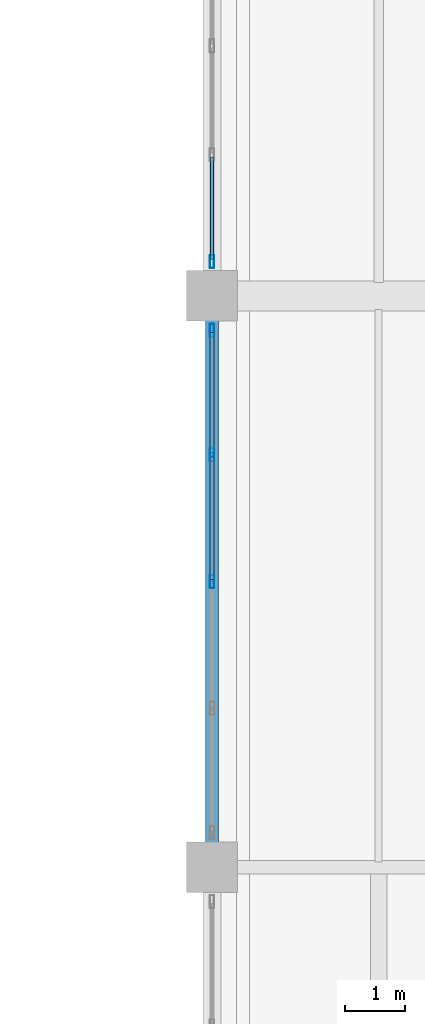
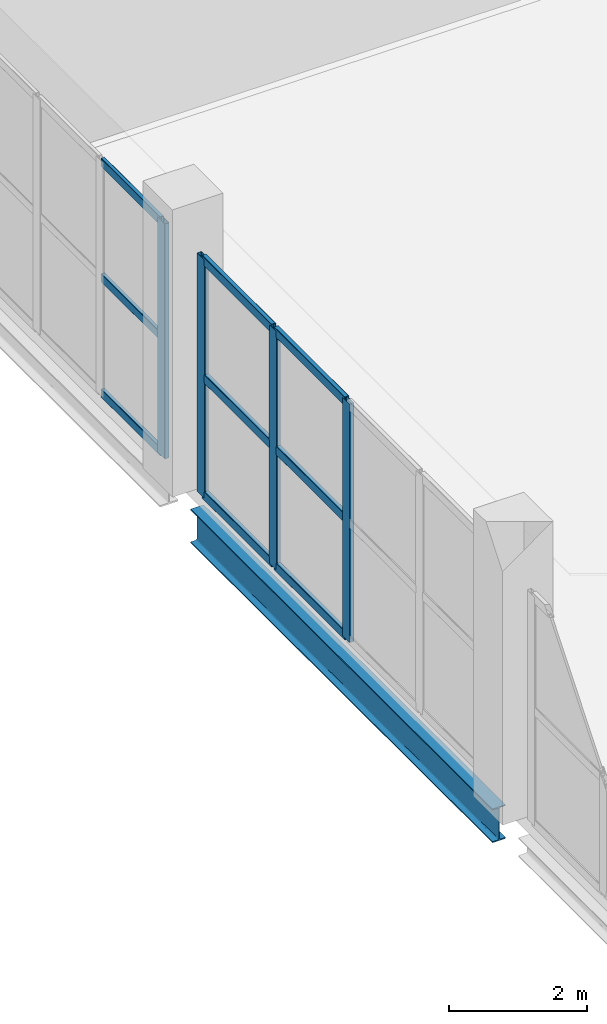
# One storey, part 35 of 66: 13 members, 1 beam, 2 elements without a shape of their own.
"""IFC4 building model written with IfcOpenShell, lengths in metres."""

import ifcopenshell
import ifcopenshell.guid

model = None  # the IFC model being written
_history = None  # IfcOwnerHistory: only IFC2X3 demands one
_inside = {}  # id of a spatial element -> (the spatial element, [elements in it])
_under = {}  # id of a project, library or spatial element -> (it, [spatial elements below it])
_declared = {}  # id of a project -> (the project, [libraries it declares])
_typed = {}  # id of a type object -> (the type object, [elements of that type])
_made_of = {}  # id of a material, layer set ... -> (it, [elements and type objects made of it])


def new_model(schema):
    """Start an empty IFC model of exactly this schema.

    Asked for "IFC4X3", IfcOpenShell would pick the latest addendum, in which some entities
    have other attributes; the version numbers below select the first issue.
    IFC2X3 requires an IfcOwnerHistory on every rooted entity: one is made here for all.
    """
    global model, _history
    if schema == "IFC4X3":
        model = ifcopenshell.file(schema_version=(4, 3, 0, 0))
    else:
        model = ifcopenshell.file(schema=schema)
    _inside.clear()
    _under.clear()
    _declared.clear()
    _typed.clear()
    _made_of.clear()
    _history = None
    if model.schema == "IFC2X3":
        org = make("IfcOrganization", Name="unknown")
        user = make(
            "IfcPersonAndOrganization",
            ThePerson=make("IfcPerson", FamilyName="unknown"),
            TheOrganization=org,
        )
        app = make(
            "IfcApplication",
            ApplicationDeveloper=org,
            Version="unknown",
            ApplicationFullName="unknown",
            ApplicationIdentifier="unknown",
        )
        _history = make(
            "IfcOwnerHistory",
            OwningUser=user,
            OwningApplication=app,
            ChangeAction="ADDED",
            CreationDate=0,
        )
    return model


def make(cls, **values):
    """One entity of the class cls with the attributes given. An attribute that is None is left unset."""
    return model.create_entity(
        cls, **{name: value for name, value in values.items() if value is not None}
    )


def rooted(cls, **values):
    """An entity with a GlobalId (a new one), such as an element, a storey or a relation."""
    return make(cls, GlobalId=ifcopenshell.guid.new(), OwnerHistory=_history, **values)


def si_unit(unit_type, name, prefix=None):
    """IfcSIUnit, for example si_unit("LENGTHUNIT", "METRE", prefix="MILLI")."""
    return make("IfcSIUnit", UnitType=unit_type, Prefix=prefix, Name=name)


def assignment(units):
    """IfcUnitAssignment: the units of a project."""
    return None if units is None else make("IfcUnitAssignment", Units=units)


def point(xyz):
    """IfcCartesianPoint."""
    return None if xyz is None else make("IfcCartesianPoint", Coordinates=xyz)


def direction(xyz):
    """IfcDirection."""
    return None if xyz is None else make("IfcDirection", DirectionRatios=xyz)


def frame(location, z_axis=None, x_axis=None):
    """IfcAxis2Placement3D, a coordinate frame: its origin and axes. An axis left out is left unset."""
    return make(
        "IfcAxis2Placement3D",
        Location=point(location),
        Axis=direction(z_axis),
        RefDirection=direction(x_axis),
    )


def frame_2d(location, x_axis=None):
    """IfcAxis2Placement2D, a coordinate frame in the plane: its origin and x axis."""
    return make(
        "IfcAxis2Placement2D", Location=point(location), RefDirection=direction(x_axis)
    )


def origin():
    """The frame at (0, 0, 0) with its axes left unset."""
    return frame((0.0, 0.0, 0.0))


def origin_2d():
    """The frame at (0, 0) in the plane with its x axis left unset."""
    return frame_2d((0.0, 0.0))


def place(relative_to, where):
    """IfcLocalPlacement: puts the frame where relative to a parent placement (None: the world)."""
    return make(
        "IfcLocalPlacement", PlacementRelTo=relative_to, RelativePlacement=where
    )


def context(
    kind, dimensions, precision=None, world=None, true_north=None, identifier=None
):
    """IfcGeometricRepresentationContext, for example the 3D "Model" context."""
    return make(
        "IfcGeometricRepresentationContext",
        ContextIdentifier=identifier,
        ContextType=kind,
        CoordinateSpaceDimension=dimensions,
        Precision=precision,
        WorldCoordinateSystem=world,
        TrueNorth=true_north,
    )


def subcontext(parent, identifier, kind, view, scale=None):
    """IfcGeometricRepresentationSubContext, for example "Body" below "Model"."""
    return make(
        "IfcGeometricRepresentationSubContext",
        ContextIdentifier=identifier,
        ContextType=kind,
        ParentContext=parent,
        TargetScale=scale,
        TargetView=view,
    )


def project(units=None, contexts=None):
    """IfcProject with its units and contexts."""
    return rooted(
        "IfcProject",
        Name="project",
        RepresentationContexts=contexts,
        UnitsInContext=assignment(units),
    )


def spatial(cls, under=None, at=None, **own):
    """A site, building, storey or space (cls), placed at a placement, below another one or the project."""
    s = rooted(cls, ObjectPlacement=at, **own)
    if under is not None:
        _under.setdefault(under.id(), (under, []))[1].append(s)
    return s


def profile(cls, at=None, kind="AREA", **sizes):
    """A parametric profile (cls). Its sizes go by their IFC names, for example OverallWidth=200.0."""
    return make(cls, ProfileType=kind, Position=at, **sizes)


def hollow_rectangle(**sizes):
    """IfcRectangleHollowProfileDef."""
    return profile("IfcRectangleHollowProfileDef", **sizes)


def i_section(**sizes):
    """IfcIShapeProfileDef."""
    return profile("IfcIShapeProfileDef", **sizes)


def extrude(swept, where, along, depth):
    """IfcExtrudedAreaSolid: the profile swept, set in the frame where, extruded along a direction by depth."""
    return make(
        "IfcExtrudedAreaSolid",
        SweptArea=swept,
        Position=where,
        ExtrudedDirection=direction(along),
        Depth=depth,
    )


def shape(context_of_items, identifier, shape_type, items):
    """IfcShapeRepresentation: the items that make up one representation, for example the "Body"."""
    return make(
        "IfcShapeRepresentation",
        ContextOfItems=context_of_items,
        RepresentationIdentifier=identifier,
        RepresentationType=shape_type,
        Items=items,
    )


def material(Name=None, Category=None):
    """IfcMaterial."""
    return make("IfcMaterial", Name=Name, Category=Category)


def layer(
    of_material, thickness, ventilated=None, Name=None, Category=None, Priority=None
):
    """IfcMaterialLayer: one layer of a wall or slab, of a material (None: an air gap)."""
    return make(
        "IfcMaterialLayer",
        Material=of_material,
        LayerThickness=thickness,
        IsVentilated=ventilated,
        Name=Name,
        Category=Category,
        Priority=Priority,
    )


def layer_set(layers, Name=None):
    """IfcMaterialLayerSet."""
    return make("IfcMaterialLayerSet", MaterialLayers=layers, LayerSetName=Name)


def material_profile(
    of_material, cross_section, Name=None, Category=None, Priority=None
):
    """IfcMaterialProfile: a cross section and its material."""
    return make(
        "IfcMaterialProfile",
        Name=Name,
        Material=of_material,
        Profile=cross_section,
        Priority=Priority,
        Category=Category,
    )


def profile_set(profiles, Name=None, composite=None):
    """IfcMaterialProfileSet."""
    return make(
        "IfcMaterialProfileSet",
        Name=Name,
        MaterialProfiles=profiles,
        CompositeProfile=composite,
    )


def made_of(thing, what):
    """Note that an element or type object is made of a material, layer set ...; save() writes the relation."""
    if what is not None:
        _made_of.setdefault(what.id(), (what, []))[1].append(thing)
    return thing


def type_object(cls, material=None, **own):
    """A type object (cls), such as IfcWallType, which elements share."""
    return made_of(rooted(cls, **own), material)


def element(
    cls,
    number,
    at=None,
    inside=None,
    cuts=None,
    type_object=None,
    material=None,
    context=None,
    identifier="Body",
    shape_type=None,
    held_by="IfcProductDefinitionShape",
    body=None,
    shapes=None,
    **own,
):
    """One element of the class cls, such as IfcWall. Its Tag is "e" and its number.

    at: its placement. inside: the storey or other place that contains it. cuts: it is an
    opening in that element (IfcRelVoidsElement). A single representation is given by context,
    identifier, shape_type and body (its items); several are given by shapes. held_by: the class
    of the entity that holds the representations. save() writes the other relations.
    """
    e = rooted(cls, Tag="e%d" % number, ObjectPlacement=at, **own)
    if body is not None:
        shapes = [shape(context, identifier, shape_type, body)]
    if shapes is not None:
        e.Representation = make(held_by, Representations=shapes)
    if inside is not None:
        _inside.setdefault(inside.id(), (inside, []))[1].append(e)
    if cuts is not None:
        rooted(
            "IfcRelVoidsElement", RelatingBuildingElement=cuts, RelatedOpeningElement=e
        )
    if type_object is not None:
        _typed.setdefault(type_object.id(), (type_object, []))[1].append(e)
    return made_of(e, material)


def aggregate(whole, parts):
    """IfcRelAggregates: a whole, such as a stair, and the parts it consists of."""
    return rooted("IfcRelAggregates", RelatingObject=whole, RelatedObjects=parts)


def save(model, path):
    """Write the relations noted so far, then the file.

    IfcRelAggregates (storeys below a building ...), IfcRelContainedInSpatialStructure (elements
    in a storey), IfcRelDefinesByType, IfcRelAssociatesMaterial and IfcRelDeclares: one each for
    every whole, place, type object, material and project.
    """
    for whole, parts in _under.values():
        aggregate(whole, parts)
    for where, things in _inside.values():
        rooted(
            "IfcRelContainedInSpatialStructure",
            RelatedElements=things,
            RelatingStructure=where,
        )
    for kind, things in _typed.values():
        rooted("IfcRelDefinesByType", RelatedObjects=things, RelatingType=kind)
    for what, things in _made_of.values():
        rooted("IfcRelAssociatesMaterial", RelatedObjects=things, RelatingMaterial=what)
    for by, libraries in _declared.values():
        rooted("IfcRelDeclares", RelatingContext=by, RelatedDefinitions=libraries)
    model.write(path)


model = new_model("IFC4")

# Units and contexts
model_context = context("Model", 3, precision=1e-05, world=origin(), true_north=direction((0.0, 1.0)))
body_context = subcontext(model_context, "Body", "Model", "MODEL_VIEW")
ifc_project = project(units=[si_unit("LENGTHUNIT", "METRE"), si_unit("AREAUNIT", "SQUARE_METRE"), si_unit("VOLUMEUNIT", "CUBIC_METRE"), si_unit("PLANEANGLEUNIT", "RADIAN"), si_unit("MASSUNIT", "GRAM", prefix="KILO")], contexts=[model_context])

# Site, building, storey
site_placement = place(None, origin())
site = spatial("IfcSite", under=ifc_project, at=site_placement, CompositionType="ELEMENT")
building_placement = place(site_placement, origin())
building = spatial("IfcBuilding", under=site, at=building_placement, Name="Zulmaris Art Gallery", CompositionType="ELEMENT")
storey_placement = place(building_placement, frame((0.0, 0.0, 5.39990234375)))
storey = spatial("IfcBuildingStorey", under=building, at=storey_placement, Name="L01", CompositionType="ELEMENT", Elevation=5.39990234375)

# Beam
ifc_material_1 = material(Name="Steel S355J2", Category="steel")
ifc_material_profile_1 = material_profile(ifc_material_1, i_section(OverallWidth=0.219970703125, OverallDepth=0.60009765625, WebThickness=0.011962890625, FlangeThickness=0.01904296875, FilletRadius=0.02392578125, at=origin_2d()), Name="IPE 600")
ifc_profile_set_1 = profile_set([ifc_material_profile_1], Name="Steel S355J2")
beam_type = type_object("IfcBeamType", Name="BEAM-BM07", PredefinedType="BEAM", material=ifc_profile_set_1)
beam_placement = place(storey_placement, frame((183.60009765625, 41.2099609375, -0.6298828125), z_axis=(0.0, 1.0, 0.0), x_axis=(-1.0, 0.0, 0.0)))
element("IfcBeam", 1, at=beam_placement, inside=storey, type_object=beam_type, Name="L01 Y-girder (x=183.6, 40.8..50.4)", PredefinedType="BEAM", context=body_context, shape_type="SweptSolid", body=[
    extrude(i_section(OverallWidth=0.219970703125, OverallDepth=0.60009765625, WebThickness=0.011962890625, FlangeThickness=0.01904296875, FilletRadius=0.02392578125, at=origin_2d()), origin(), (0.0, 0.0, 1.0), 8.780029296875),
])

# Curtain wall, members
ifc_material_2 = material(Name="Courtyard Artists Studio Curtain Wall", Category="aluminium")
ifc_layer = layer(ifc_material_2, 0.179931640625)
ifc_layer_set = layer_set([ifc_layer], Name="Courtyard Artists Studio Curtain Wall")
curtain_wall_type = type_object("IfcCurtainWallType", Name="CW-CW04", PredefinedType="NOTDEFINED", material=ifc_layer_set)
curtain_wall_1_placement = place(storey_placement, origin())
curtain_wall_1 = element("IfcCurtainWall", 2, at=curtain_wall_1_placement, inside=storey, type_object=curtain_wall_type, Name="L01 curtain wall 126", PredefinedType="NOTDEFINED")
ifc_material_3 = material(Name="Anodised Bronze Aluminium", Category="aluminium")
ifc_material_profile_2 = material_profile(ifc_material_3, hollow_rectangle(XDim=0.074951171875, YDim=0.219970703125, WallThickness=0.0048828125, InnerFilletRadius=0.007568359375, OuterFilletRadius=0.012451171875, at=origin_2d()), Name="ALU 75x220x5")
ifc_profile_set_2 = profile_set([ifc_material_profile_2], Name="Anodised Bronze Aluminium")
member_type_1 = type_object("IfcMemberType", Name="CWMUL-02", PredefinedType="MULLION", material=ifc_profile_set_2)
member_1_placement = place(storey_placement, frame((183.60009765625, 49.822509765625, 0.0), z_axis=(0.0, 0.0, 1.0), x_axis=(1.0, 0.0, 0.0)))
member_1 = element("IfcMember", 3, at=member_1_placement, type_object=member_type_1, Name="CW04 mullion 1", PredefinedType="MULLION", context=body_context, shape_type="SweptSolid", body=[
    extrude(hollow_rectangle(XDim=0.074951171875, YDim=0.219970703125, WallThickness=0.0048828125, InnerFilletRadius=0.007568359375, OuterFilletRadius=0.012451171875, at=origin_2d()), origin(), (0.0, 0.0, 1.0), 4.22998046875),
])
member_2_placement = place(storey_placement, frame((183.60009765625, 47.72998046875, 0.0), z_axis=(0.0, 0.0, 1.0), x_axis=(1.0, 0.0, 0.0)))
member_2 = element("IfcMember", 4, at=member_2_placement, type_object=member_type_1, Name="CW04 mullion 2", PredefinedType="MULLION", context=body_context, shape_type="SweptSolid", body=[
    extrude(hollow_rectangle(XDim=0.074951171875, YDim=0.219970703125, WallThickness=0.0048828125, InnerFilletRadius=0.007568359375, OuterFilletRadius=0.012451171875, at=origin_2d()), origin(), (0.0, 0.0, 1.0), 4.22998046875),
])
member_3_placement = place(storey_placement, frame((183.60009765625, 45.60009765625, 0.0), z_axis=(0.0, 0.0, 1.0), x_axis=(1.0, 0.0, 0.0)))
member_3 = element("IfcMember", 5, at=member_3_placement, type_object=member_type_1, Name="CW04 mullion 3", PredefinedType="MULLION", context=body_context, shape_type="SweptSolid", body=[
    extrude(hollow_rectangle(XDim=0.074951171875, YDim=0.219970703125, WallThickness=0.0048828125, InnerFilletRadius=0.007568359375, OuterFilletRadius=0.012451171875, at=origin_2d()), origin(), (0.0, 0.0, 1.0), 4.22998046875),
])

curtain_wall_2_placement = place(storey_placement, origin())
curtain_wall_2 = element("IfcCurtainWall", 6, at=curtain_wall_2_placement, inside=storey, type_object=curtain_wall_type, Name="L01 curtain wall 128", PredefinedType="NOTDEFINED")
member_4_placement = place(storey_placement, frame((183.60009765625, 50.9775390625, 0.0), z_axis=(0.0, 0.0, 1.0), x_axis=(1.0, 0.0, 0.0)))
member_4 = element("IfcMember", 7, at=member_4_placement, type_object=member_type_1, Name="CW04 mullion 5", PredefinedType="MULLION", context=body_context, shape_type="SweptSolid", body=[
    extrude(hollow_rectangle(XDim=0.074951171875, YDim=0.219970703125, WallThickness=0.0048828125, InnerFilletRadius=0.007568359375, OuterFilletRadius=0.012451171875, at=origin_2d()), origin(), (0.0, 0.0, 1.0), 4.170166015625),
])
ifc_material_profile_3 = material_profile(ifc_material_3, hollow_rectangle(XDim=0.06494140625, YDim=0.14990234375, WallThickness=0.00390625, InnerFilletRadius=0.006103515625, OuterFilletRadius=0.010009765625, at=origin_2d()), Name="ALU 65x150x4")
ifc_profile_set_3 = profile_set([ifc_material_profile_3], Name="Anodised Bronze Aluminium")
member_type_2 = type_object("IfcMemberType", Name="CWTRN-01", PredefinedType="USERDEFINED", material=ifc_profile_set_3)
member_5_placement = place(storey_placement, frame((183.60009765625, 52.732421875, 0.03759765625), z_axis=(0.0, -1.0, 0.0), x_axis=(1.0, 0.0, 0.0)))
member_5 = element("IfcMember", 8, at=member_5_placement, type_object=member_type_2, Name="CW04 transom 4.1", ObjectType="TRANSOM", PredefinedType="USERDEFINED", context=body_context, shape_type="SweptSolid", body=[
    extrude(hollow_rectangle(XDim=0.06494140625, YDim=0.14990234375, WallThickness=0.00390625, InnerFilletRadius=0.006103515625, OuterFilletRadius=0.010009765625, at=origin_2d()), origin(), (0.0, 0.0, 1.0), 1.717529296875),
])
member_6_placement = place(storey_placement, frame((183.60009765625, 52.732421875, 2.085205078125), z_axis=(0.0, -1.0, 0.0), x_axis=(1.0, 0.0, 0.0)))
member_6 = element("IfcMember", 9, at=member_6_placement, type_object=member_type_2, Name="CW04 transom 4.2", ObjectType="TRANSOM", PredefinedType="USERDEFINED", context=body_context, shape_type="SweptSolid", body=[
    extrude(hollow_rectangle(XDim=0.06494140625, YDim=0.14990234375, WallThickness=0.00390625, InnerFilletRadius=0.006103515625, OuterFilletRadius=0.010009765625, at=origin_2d()), origin(), (0.0, 0.0, 1.0), 1.717529296875),
])
member_7_placement = place(storey_placement, frame((183.60009765625, 52.732421875, 4.132568359375), z_axis=(0.0, -1.0, 0.0), x_axis=(1.0, 0.0, 0.0)))
member_7 = element("IfcMember", 10, at=member_7_placement, type_object=member_type_2, Name="CW04 transom 4.3", ObjectType="TRANSOM", PredefinedType="USERDEFINED", context=body_context, shape_type="SweptSolid", body=[
    extrude(hollow_rectangle(XDim=0.06494140625, YDim=0.14990234375, WallThickness=0.00390625, InnerFilletRadius=0.006103515625, OuterFilletRadius=0.010009765625, at=origin_2d()), origin(), (0.0, 0.0, 1.0), 1.717529296875),
])
aggregate(curtain_wall_2, [member_4, member_5, member_6, member_7])

# Member
ifc_material_profile_4 = material_profile(ifc_material_3, hollow_rectangle(XDim=0.074951171875, YDim=0.159912109375, WallThickness=0.00390625, InnerFilletRadius=0.006103515625, OuterFilletRadius=0.010009765625, at=origin_2d()), Name="ALU 75x160x4")
ifc_profile_set_4 = profile_set([ifc_material_profile_4], Name="Anodised Bronze Aluminium")
member_type_3 = type_object("IfcMemberType", Name="CWTRN-02", PredefinedType="USERDEFINED", material=ifc_profile_set_4)
member_8_placement = place(storey_placement, frame((183.60009765625, 49.784912109375, 0.03759765625), z_axis=(0.0, -1.0, 0.0), x_axis=(1.0, 0.0, 0.0)))
member_8 = element("IfcMember", 11, at=member_8_placement, type_object=member_type_3, Name="CW04 transom 1.1", ObjectType="TRANSOM", PredefinedType="USERDEFINED", context=body_context, shape_type="SweptSolid", body=[
    extrude(hollow_rectangle(XDim=0.074951171875, YDim=0.159912109375, WallThickness=0.00390625, InnerFilletRadius=0.006103515625, OuterFilletRadius=0.010009765625, at=origin_2d()), origin(), (0.0, 0.0, 1.0), 2.017333984375),
])

member_9_placement = place(storey_placement, frame((183.60009765625, 49.784912109375, 2.114990234375), z_axis=(0.0, -1.0, 0.0), x_axis=(1.0, 0.0, 0.0)))
member_9 = element("IfcMember", 12, at=member_9_placement, type_object=member_type_3, Name="CW04 transom 1.2", ObjectType="TRANSOM", PredefinedType="USERDEFINED", context=body_context, shape_type="SweptSolid", body=[
    extrude(hollow_rectangle(XDim=0.074951171875, YDim=0.159912109375, WallThickness=0.00390625, InnerFilletRadius=0.006103515625, OuterFilletRadius=0.010009765625, at=origin_2d()), origin(), (0.0, 0.0, 1.0), 2.017333984375),
])

member_10_placement = place(storey_placement, frame((183.60009765625, 49.784912109375, 4.192626953125), z_axis=(0.0, -1.0, 0.0), x_axis=(1.0, 0.0, 0.0)))
member_10 = element("IfcMember", 13, at=member_10_placement, type_object=member_type_3, Name="CW04 transom 1.3", ObjectType="TRANSOM", PredefinedType="USERDEFINED", context=body_context, shape_type="SweptSolid", body=[
    extrude(hollow_rectangle(XDim=0.074951171875, YDim=0.159912109375, WallThickness=0.00390625, InnerFilletRadius=0.006103515625, OuterFilletRadius=0.010009765625, at=origin_2d()), origin(), (0.0, 0.0, 1.0), 2.017333984375),
])

member_11_placement = place(storey_placement, frame((183.60009765625, 47.6923828125, 0.03759765625), z_axis=(0.0, -1.0, 0.0), x_axis=(1.0, 0.0, 0.0)))
member_11 = element("IfcMember", 14, at=member_11_placement, type_object=member_type_3, Name="CW04 transom 2.1", ObjectType="TRANSOM", PredefinedType="USERDEFINED", context=body_context, shape_type="SweptSolid", body=[
    extrude(hollow_rectangle(XDim=0.074951171875, YDim=0.159912109375, WallThickness=0.00390625, InnerFilletRadius=0.006103515625, OuterFilletRadius=0.010009765625, at=origin_2d()), origin(), (0.0, 0.0, 1.0), 2.054931640625),
])

member_12_placement = place(storey_placement, frame((183.60009765625, 47.6923828125, 2.114990234375), z_axis=(0.0, -1.0, 0.0), x_axis=(1.0, 0.0, 0.0)))
member_12 = element("IfcMember", 15, at=member_12_placement, type_object=member_type_3, Name="CW04 transom 2.2", ObjectType="TRANSOM", PredefinedType="USERDEFINED", context=body_context, shape_type="SweptSolid", body=[
    extrude(hollow_rectangle(XDim=0.074951171875, YDim=0.159912109375, WallThickness=0.00390625, InnerFilletRadius=0.006103515625, OuterFilletRadius=0.010009765625, at=origin_2d()), origin(), (0.0, 0.0, 1.0), 2.054931640625),
])

member_13_placement = place(storey_placement, frame((183.60009765625, 47.6923828125, 4.192626953125), z_axis=(0.0, -1.0, 0.0), x_axis=(1.0, 0.0, 0.0)))
member_13 = element("IfcMember", 16, at=member_13_placement, type_object=member_type_3, Name="CW04 transom 2.3", ObjectType="TRANSOM", PredefinedType="USERDEFINED", context=body_context, shape_type="SweptSolid", body=[
    extrude(hollow_rectangle(XDim=0.074951171875, YDim=0.159912109375, WallThickness=0.00390625, InnerFilletRadius=0.006103515625, OuterFilletRadius=0.010009765625, at=origin_2d()), origin(), (0.0, 0.0, 1.0), 2.054931640625),
])

aggregate(curtain_wall_1, [member_1, member_2, member_3, member_8, member_9, member_10, member_11, member_12, member_13])

save(model, "model.ifc")
